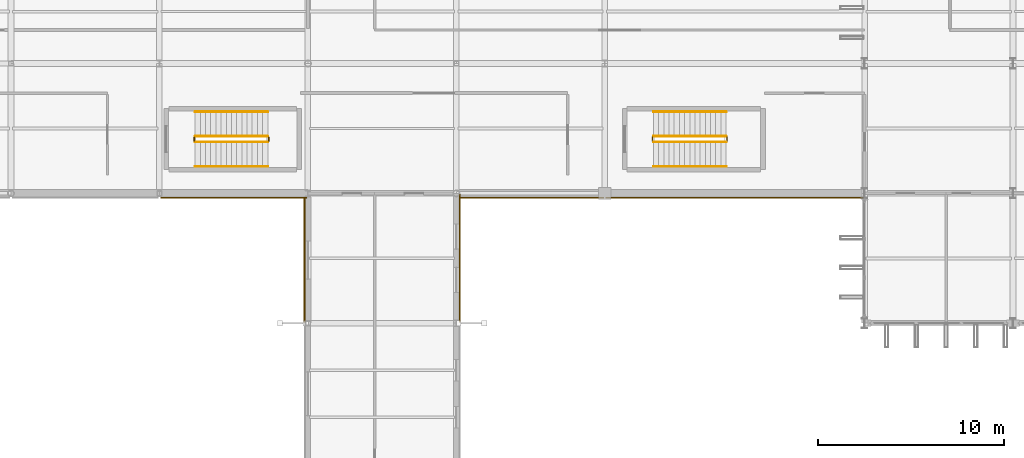
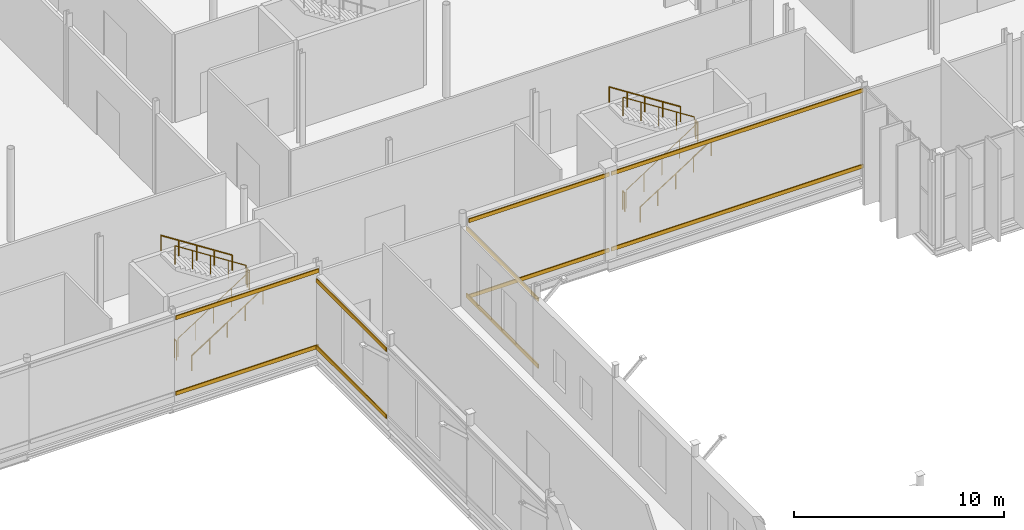
# One storey, part 133 of 147: 12 railings, 10 coverings.
"""IFC4 building model written with IfcOpenShell, lengths in metres."""

from ifc_helpers import new_model, si_unit, direction, frame, origin, origin_2d, place, context, subcontext, project, spatial, rectangle, circle, extrude, material, layer, layer_set, type_object, element, save


model = new_model("IFC4")

# Units and contexts
model_context = context("Model", 3, precision=1e-05, world=origin(), true_north=direction((0.0, 1.0)))
body_context = subcontext(model_context, "Body", "Model", "MODEL_VIEW")
ifc_project = project(units=[si_unit("LENGTHUNIT", "METRE"), si_unit("AREAUNIT", "SQUARE_METRE"), si_unit("VOLUMEUNIT", "CUBIC_METRE"), si_unit("PLANEANGLEUNIT", "RADIAN"), si_unit("MASSUNIT", "GRAM", prefix="KILO")], contexts=[model_context])

# Site, building, storey
site_placement = place(None, origin())
site = spatial("IfcSite", under=ifc_project, at=site_placement, CompositionType="ELEMENT")
building_placement = place(site_placement, origin())
building = spatial("IfcBuilding", under=site, at=building_placement, Name="Vekula Escarpment Museum", CompositionType="ELEMENT")
storey_placement = place(building_placement, frame((0.0, 0.0, 7.800048828125)))
storey = spatial("IfcBuildingStorey", under=building, at=storey_placement, Name="L02", CompositionType="ELEMENT", Elevation=7.800048828125)

# Coverings
ifc_material_1 = material(Name="Polychrome limestone almasik string-course band", Category="masonry")
ifc_layer = layer(ifc_material_1, 0.06005859375)
ifc_layer_set = layer_set([ifc_layer], Name="Polychrome limestone almasik string-course band")
covering_type = type_object("IfcCoveringType", Name="COV-ALM-BAND", PredefinedType="CLADDING", material=ifc_layer_set)
for number, where, z_axis, x_axis, name in (
    (1, (48.176025390625, 49.10009765625, 0.41015625), (0.0, 0.0, 1.0), (0.0, 1.0, 0.0), "Almasik Stone String Course L02-0251"),
    (2, (48.176025390625, 49.10009765625, 4.30517578125), (0.0, 0.0, 1.0), (0.0, 1.0, 0.0), "Almasik Stone String Course L02-0252"),
):
    element("IfcCovering", number, at=place(storey_placement, frame(where, z_axis=z_axis, x_axis=x_axis)), inside=storey, type_object=covering_type, Name=name, PredefinedType="CLADDING", context=body_context, shape_type="SweptSolid", body=[
        extrude(rectangle(XDim=6.8798828125, YDim=0.06005859375, at=origin_2d()), origin(), (0.0, 0.0, 1.0), 0.219970703125),
    ])
for number, where, z_axis, x_axis, name in (
    (3, (52.076904296875, 52.3740234375, 0.41015625), (0.0, 0.0, 1.0), (1.0, 0.0, 0.0), "Almasik Stone String Course L02-0253"),
    (4, (52.076904296875, 52.3740234375, 4.81982421875), (0.0, 0.0, 1.0), (1.0, 0.0, 0.0), "Almasik Stone String Course L02-0254"),
):
    element("IfcCovering", number, at=place(storey_placement, frame(where, z_axis=z_axis, x_axis=x_axis)), inside=storey, type_object=covering_type, Name=name, PredefinedType="CLADDING", context=body_context, shape_type="SweptSolid", body=[
        extrude(rectangle(XDim=7.72607421875, YDim=0.06005859375, at=origin_2d()), origin(), (0.0, 0.0, 1.0), 0.219970703125),
    ])
for number, where, z_axis, x_axis, name in (
    (5, (63.0, 52.3740234375, 0.41015625), (0.0, 0.0, 1.0), (1.0, 0.0, 0.0), "Almasik Stone String Course L02-0255"),
    (6, (63.0, 52.3740234375, 4.81982421875), (0.0, 0.0, 1.0), (1.0, 0.0, 0.0), "Almasik Stone String Course L02-0256"),
):
    element("IfcCovering", number, at=place(storey_placement, frame(where, z_axis=z_axis, x_axis=x_axis)), inside=storey, type_object=covering_type, Name=name, PredefinedType="CLADDING", context=body_context, shape_type="SweptSolid", body=[
        extrude(rectangle(XDim=13.8798828125, YDim=0.06005859375, at=origin_2d()), origin(), (0.0, 0.0, 1.0), 0.219970703125),
    ])
for number, where, z_axis, x_axis, name in (
    (7, (36.0, 52.3740234375, 0.41015625), (0.0, 0.0, 1.0), (1.0, 0.0, 0.0), "Almasik Stone String Course L02-0454"),
    (8, (36.0, 52.3740234375, 4.81982421875), (0.0, 0.0, 1.0), (1.0, 0.0, 0.0), "Almasik Stone String Course L02-0455"),
):
    element("IfcCovering", number, at=place(storey_placement, frame(where, z_axis=z_axis, x_axis=x_axis)), inside=storey, type_object=covering_type, Name=name, PredefinedType="CLADDING", context=body_context, shape_type="SweptSolid", body=[
        extrude(rectangle(XDim=7.8798828125, YDim=0.06005859375, at=origin_2d()), origin(), (0.0, 0.0, 1.0), 0.219970703125),
    ])
for number, where, z_axis, x_axis, name in (
    (9, (39.81396484375, 48.998046875, 0.41015625), (0.0, 0.0, 1.0), (0.0, 1.0, 0.0), "Almasik Stone String Course L02-0456"),
    (10, (39.81396484375, 48.998046875, 4.30517578125), (0.0, 0.0, 1.0), (0.0, 1.0, 0.0), "Almasik Stone String Course L02-0457"),
):
    element("IfcCovering", number, at=place(storey_placement, frame(where, z_axis=z_axis, x_axis=x_axis)), inside=storey, type_object=covering_type, Name=name, PredefinedType="CLADDING", context=body_context, shape_type="SweptSolid", body=[
        extrude(rectangle(XDim=6.676025390625, YDim=0.06005859375, at=origin_2d()), origin(), (0.0, 0.0, 1.0), 0.219970703125),
    ])

# Railings
ifc_material_2 = material(Name="Painted Steel S355 stair guard", Category="steel")
railing_type_1 = type_object("IfcRailingType", Name="RL-STAIR-GUARD", PredefinedType="GUARDRAIL", material=ifc_material_2)
railing_1_placement = place(storey_placement, frame((58.6201171875, 55.3701171875, 0.179931640625)))
element("IfcRailing", 11, at=railing_1_placement, inside=storey, type_object=railing_type_1, Name="L02 ST-01 stair guard 1", PredefinedType="GUARDRAIL", context=body_context, shape_type="SweptSolid", body=[
    extrude(circle(Radius=0.02392578125, at=origin_2d()), frame((0.0, 0.0, 1.076171875), z_axis=(0.841171666519, 0.0, 0.540768182723), x_axis=(0.0, 1.0, 0.0)), (0.0, 0.0, 1.0), 4.66015625),
    extrude(circle(Radius=0.02099609375, at=origin_2d()), origin(), (0.0, 0.0, 1.0), 1.052001953125),
    extrude(circle(Radius=0.02099609375, at=origin_2d()), frame((0.97998046875, 0.0, 0.6298828125)), (0.0, 0.0, 1.0), 1.052001953125),
    extrude(circle(Radius=0.02099609375, at=origin_2d()), frame((1.9599609375, 0.0, 1.260009765625)), (0.0, 0.0, 1.0), 1.052001953125),
    extrude(circle(Radius=0.02099609375, at=origin_2d()), frame((2.93994140625, 0.0, 1.89013671875)), (0.0, 0.0, 1.0), 1.052001953125),
    extrude(circle(Radius=0.02099609375, at=origin_2d()), frame((3.919921875, 0.0, 2.52001953125)), (0.0, 0.0, 1.0), 1.052001953125),
])
railing_2_placement = place(storey_placement, frame((62.590087890625, 55.419921875, 2.699951171875)))
element("IfcRailing", 12, at=railing_2_placement, inside=storey, type_object=railing_type_1, Name="L02 ST-01 stair guard 2", PredefinedType="GUARDRAIL", context=body_context, shape_type="SweptSolid", body=[
    extrude(circle(Radius=0.02392578125, at=origin_2d()), frame((0.0, 0.0, 1.076171875), z_axis=(0.0, 1.0, 0.0), x_axis=(-1.0, 0.0, 0.0)), (0.0, 0.0, 1.0), 0.2001953125),
    extrude(circle(Radius=0.02099609375, at=origin_2d()), origin(), (0.0, 0.0, 1.0), 1.052001953125),
    extrude(circle(Radius=0.02099609375, at=origin_2d()), frame((0.0, 0.2001953125, 0.0)), (0.0, 0.0, 1.0), 1.052001953125),
])
railing_3_placement = place(storey_placement, frame((62.5400390625, 55.669921875, 2.8798828125)))
element("IfcRailing", 13, at=railing_3_placement, inside=storey, type_object=railing_type_1, Name="L02 ST-01 stair guard 3", PredefinedType="GUARDRAIL", context=body_context, shape_type="SweptSolid", body=[
    extrude(circle(Radius=0.02392578125, at=origin_2d()), frame((0.0, 0.0, 1.076171875), z_axis=(-0.841171666519, 0.0, 0.540768182723), x_axis=(0.0, -1.0, 0.0)), (0.0, 0.0, 1.0), 4.66015625),
    extrude(circle(Radius=0.02099609375, at=origin_2d()), origin(), (0.0, 0.0, 1.0), 1.052001953125),
    extrude(circle(Radius=0.02099609375, at=origin_2d()), frame((-0.97998046875, 0.0, 0.6298828125)), (0.0, 0.0, 1.0), 1.052001953125),
    extrude(circle(Radius=0.02099609375, at=origin_2d()), frame((-1.9599609375, 0.0, 1.260009765625)), (0.0, 0.0, 1.0), 1.052001953125),
    extrude(circle(Radius=0.02099609375, at=origin_2d()), frame((-2.93994140625, 0.0, 1.89013671875)), (0.0, 0.0, 1.0), 1.052001953125),
    extrude(circle(Radius=0.02099609375, at=origin_2d()), frame((-3.919921875, 0.0, 2.52001953125)), (0.0, 0.0, 1.0), 1.052001953125),
])
railing_4_placement = place(storey_placement, frame((58.570068359375, 55.419921875, 0.0)))
element("IfcRailing", 14, at=railing_4_placement, inside=storey, type_object=railing_type_1, Name="L02 ST-01 stair guard 4", PredefinedType="GUARDRAIL", context=body_context, shape_type="SweptSolid", body=[
    extrude(circle(Radius=0.02392578125, at=origin_2d()), frame((0.0, 0.0, 1.076171875), z_axis=(0.0, 1.0, 0.0), x_axis=(-1.0, 0.0, 0.0)), (0.0, 0.0, 1.0), 0.2001953125),
    extrude(circle(Radius=0.02099609375, at=origin_2d()), origin(), (0.0, 0.0, 1.0), 1.052001953125),
    extrude(circle(Radius=0.02099609375, at=origin_2d()), frame((0.0, 0.2001953125, 0.0)), (0.0, 0.0, 1.0), 1.052001953125),
])
railing_5_placement = place(storey_placement, frame((33.919921875, 55.3701171875, 0.179931640625)))
element("IfcRailing", 15, at=railing_5_placement, inside=storey, type_object=railing_type_1, Name="L02 ST-04 stair guard 1", PredefinedType="GUARDRAIL", context=body_context, shape_type="SweptSolid", body=[
    extrude(circle(Radius=0.02392578125, at=origin_2d()), frame((0.0, 0.0, 1.076171875), z_axis=(0.841186985886, 0.0, 0.540744352514), x_axis=(0.0, 1.0, 0.0)), (0.0, 0.0, 1.0), 4.660400390625),
    extrude(circle(Radius=0.02099609375, at=origin_2d()), origin(), (0.0, 0.0, 1.0), 1.052001953125),
    extrude(circle(Radius=0.02099609375, at=origin_2d()), frame((0.97998046875, 0.0, 0.6298828125)), (0.0, 0.0, 1.0), 1.052001953125),
    extrude(circle(Radius=0.02099609375, at=origin_2d()), frame((1.9599609375, 0.0, 1.260009765625)), (0.0, 0.0, 1.0), 1.052001953125),
    extrude(circle(Radius=0.02099609375, at=origin_2d()), frame((2.940185546875, 0.0, 1.89013671875)), (0.0, 0.0, 1.0), 1.052001953125),
    extrude(circle(Radius=0.02099609375, at=origin_2d()), frame((3.920166015625, 0.0, 2.52001953125)), (0.0, 0.0, 1.0), 1.052001953125),
])
railing_6_placement = place(storey_placement, frame((37.889892578125, 55.419921875, 2.699951171875)))
element("IfcRailing", 16, at=railing_6_placement, inside=storey, type_object=railing_type_1, Name="L02 ST-04 stair guard 2", PredefinedType="GUARDRAIL", context=body_context, shape_type="SweptSolid", body=[
    extrude(circle(Radius=0.02392578125, at=origin_2d()), frame((0.0, 0.0, 1.076171875), z_axis=(0.0, 1.0, 0.0), x_axis=(-1.0, 0.0, 0.0)), (0.0, 0.0, 1.0), 0.2001953125),
    extrude(circle(Radius=0.02099609375, at=origin_2d()), origin(), (0.0, 0.0, 1.0), 1.052001953125),
    extrude(circle(Radius=0.02099609375, at=origin_2d()), frame((0.0, 0.2001953125, 0.0)), (0.0, 0.0, 1.0), 1.052001953125),
])
railing_7_placement = place(storey_placement, frame((37.840087890625, 55.669921875, 2.8798828125)))
element("IfcRailing", 17, at=railing_7_placement, inside=storey, type_object=railing_type_1, Name="L02 ST-04 stair guard 3", PredefinedType="GUARDRAIL", context=body_context, shape_type="SweptSolid", body=[
    extrude(circle(Radius=0.02392578125, at=origin_2d()), frame((0.0, 0.0, 1.076171875), z_axis=(-0.841186985886, 0.0, 0.540744352514), x_axis=(0.0, -1.0, 0.0)), (0.0, 0.0, 1.0), 4.660400390625),
    extrude(circle(Radius=0.02099609375, at=origin_2d()), origin(), (0.0, 0.0, 1.0), 1.052001953125),
    extrude(circle(Radius=0.02099609375, at=origin_2d()), frame((-0.97998046875, 0.0, 0.6298828125)), (0.0, 0.0, 1.0), 1.052001953125),
    extrude(circle(Radius=0.02099609375, at=origin_2d()), frame((-1.9599609375, 0.0, 1.260009765625)), (0.0, 0.0, 1.0), 1.052001953125),
    extrude(circle(Radius=0.02099609375, at=origin_2d()), frame((-2.940185546875, 0.0, 1.89013671875)), (0.0, 0.0, 1.0), 1.052001953125),
    extrude(circle(Radius=0.02099609375, at=origin_2d()), frame((-3.920166015625, 0.0, 2.52001953125)), (0.0, 0.0, 1.0), 1.052001953125),
])
railing_8_placement = place(storey_placement, frame((33.8701171875, 55.419921875, 0.0)))
element("IfcRailing", 18, at=railing_8_placement, inside=storey, type_object=railing_type_1, Name="L02 ST-04 stair guard 4", PredefinedType="GUARDRAIL", context=body_context, shape_type="SweptSolid", body=[
    extrude(circle(Radius=0.02392578125, at=origin_2d()), frame((0.0, 0.0, 1.076171875), z_axis=(0.0, 1.0, 0.0), x_axis=(-1.0, 0.0, 0.0)), (0.0, 0.0, 1.0), 0.2001953125),
    extrude(circle(Radius=0.02099609375, at=origin_2d()), origin(), (0.0, 0.0, 1.0), 1.052001953125),
    extrude(circle(Radius=0.02099609375, at=origin_2d()), frame((0.0, 0.2001953125, 0.0)), (0.0, 0.0, 1.0), 1.052001953125),
])
ifc_material_3 = material(Name="Brushed stainless steel handrail", Category="steel")
railing_type_2 = type_object("IfcRailingType", Name="RL-STAIR-HAND", PredefinedType="HANDRAIL", material=ifc_material_3)
railing_9_placement = place(storey_placement, frame((58.6201171875, 54.050048828125, 0.179931640625)))
element("IfcRailing", 19, at=railing_9_placement, inside=storey, type_object=railing_type_2, Name="L02 ST-01 stair handrail 1", PredefinedType="HANDRAIL", context=body_context, shape_type="SweptSolid", body=[
    extrude(circle(Radius=0.02392578125, at=origin_2d()), frame((0.0, 0.0, 0.8759765625), z_axis=(0.841171666519, 0.0, 0.540768182723), x_axis=(0.0, 1.0, 0.0)), (0.0, 0.0, 1.0), 4.66015625),
    extrude(circle(Radius=0.02099609375, at=origin_2d()), origin(), (0.0, 0.0, 1.0), 0.851806640625),
    extrude(circle(Radius=0.02099609375, at=origin_2d()), frame((0.97998046875, 0.0, 0.6298828125)), (0.0, 0.0, 1.0), 0.851806640625),
    extrude(circle(Radius=0.02099609375, at=origin_2d()), frame((1.9599609375, 0.0, 1.260009765625)), (0.0, 0.0, 1.0), 0.851806640625),
    extrude(circle(Radius=0.02099609375, at=origin_2d()), frame((2.93994140625, 0.0, 1.89013671875)), (0.0, 0.0, 1.0), 0.851806640625),
    extrude(circle(Radius=0.02099609375, at=origin_2d()), frame((3.919921875, 0.0, 2.52001953125)), (0.0, 0.0, 1.0), 0.851806640625),
])
railing_10_placement = place(storey_placement, frame((62.5400390625, 56.989990234375, 2.8798828125)))
element("IfcRailing", 20, at=railing_10_placement, inside=storey, type_object=railing_type_2, Name="L02 ST-01 stair handrail 2", PredefinedType="HANDRAIL", context=body_context, shape_type="SweptSolid", body=[
    extrude(circle(Radius=0.02392578125, at=origin_2d()), frame((0.0, 0.0, 0.8759765625), z_axis=(-0.841171666519, 0.0, 0.540768182723), x_axis=(0.0, -1.0, 0.0)), (0.0, 0.0, 1.0), 4.66015625),
    extrude(circle(Radius=0.02099609375, at=origin_2d()), origin(), (0.0, 0.0, 1.0), 0.851806640625),
    extrude(circle(Radius=0.02099609375, at=origin_2d()), frame((-0.97998046875, 0.0, 0.6298828125)), (0.0, 0.0, 1.0), 0.851806640625),
    extrude(circle(Radius=0.02099609375, at=origin_2d()), frame((-1.9599609375, 0.0, 1.260009765625)), (0.0, 0.0, 1.0), 0.851806640625),
    extrude(circle(Radius=0.02099609375, at=origin_2d()), frame((-2.93994140625, 0.0, 1.89013671875)), (0.0, 0.0, 1.0), 0.851806640625),
    extrude(circle(Radius=0.02099609375, at=origin_2d()), frame((-3.919921875, 0.0, 2.52001953125)), (0.0, 0.0, 1.0), 0.851806640625),
])
railing_11_placement = place(storey_placement, frame((33.919921875, 54.050048828125, 0.179931640625)))
element("IfcRailing", 21, at=railing_11_placement, inside=storey, type_object=railing_type_2, Name="L02 ST-04 stair handrail 1", PredefinedType="HANDRAIL", context=body_context, shape_type="SweptSolid", body=[
    extrude(circle(Radius=0.02392578125, at=origin_2d()), frame((0.0, 0.0, 0.8759765625), z_axis=(0.841186985886, 0.0, 0.540744352514), x_axis=(0.0, 1.0, 0.0)), (0.0, 0.0, 1.0), 4.660400390625),
    extrude(circle(Radius=0.02099609375, at=origin_2d()), origin(), (0.0, 0.0, 1.0), 0.851806640625),
    extrude(circle(Radius=0.02099609375, at=origin_2d()), frame((0.97998046875, 0.0, 0.6298828125)), (0.0, 0.0, 1.0), 0.851806640625),
    extrude(circle(Radius=0.02099609375, at=origin_2d()), frame((1.9599609375, 0.0, 1.260009765625)), (0.0, 0.0, 1.0), 0.851806640625),
    extrude(circle(Radius=0.02099609375, at=origin_2d()), frame((2.940185546875, 0.0, 1.89013671875)), (0.0, 0.0, 1.0), 0.851806640625),
    extrude(circle(Radius=0.02099609375, at=origin_2d()), frame((3.920166015625, 0.0, 2.52001953125)), (0.0, 0.0, 1.0), 0.851806640625),
])
railing_12_placement = place(storey_placement, frame((37.840087890625, 56.989990234375, 2.8798828125)))
element("IfcRailing", 22, at=railing_12_placement, inside=storey, type_object=railing_type_2, Name="L02 ST-04 stair handrail 2", PredefinedType="HANDRAIL", context=body_context, shape_type="SweptSolid", body=[
    extrude(circle(Radius=0.02392578125, at=origin_2d()), frame((0.0, 0.0, 0.8759765625), z_axis=(-0.841186985886, 0.0, 0.540744352514), x_axis=(0.0, -1.0, 0.0)), (0.0, 0.0, 1.0), 4.660400390625),
    extrude(circle(Radius=0.02099609375, at=origin_2d()), origin(), (0.0, 0.0, 1.0), 0.851806640625),
    extrude(circle(Radius=0.02099609375, at=origin_2d()), frame((-0.97998046875, 0.0, 0.6298828125)), (0.0, 0.0, 1.0), 0.851806640625),
    extrude(circle(Radius=0.02099609375, at=origin_2d()), frame((-1.9599609375, 0.0, 1.260009765625)), (0.0, 0.0, 1.0), 0.851806640625),
    extrude(circle(Radius=0.02099609375, at=origin_2d()), frame((-2.940185546875, 0.0, 1.89013671875)), (0.0, 0.0, 1.0), 0.851806640625),
    extrude(circle(Radius=0.02099609375, at=origin_2d()), frame((-3.920166015625, 0.0, 2.52001953125)), (0.0, 0.0, 1.0), 0.851806640625),
])

save(model, "model.ifc")
